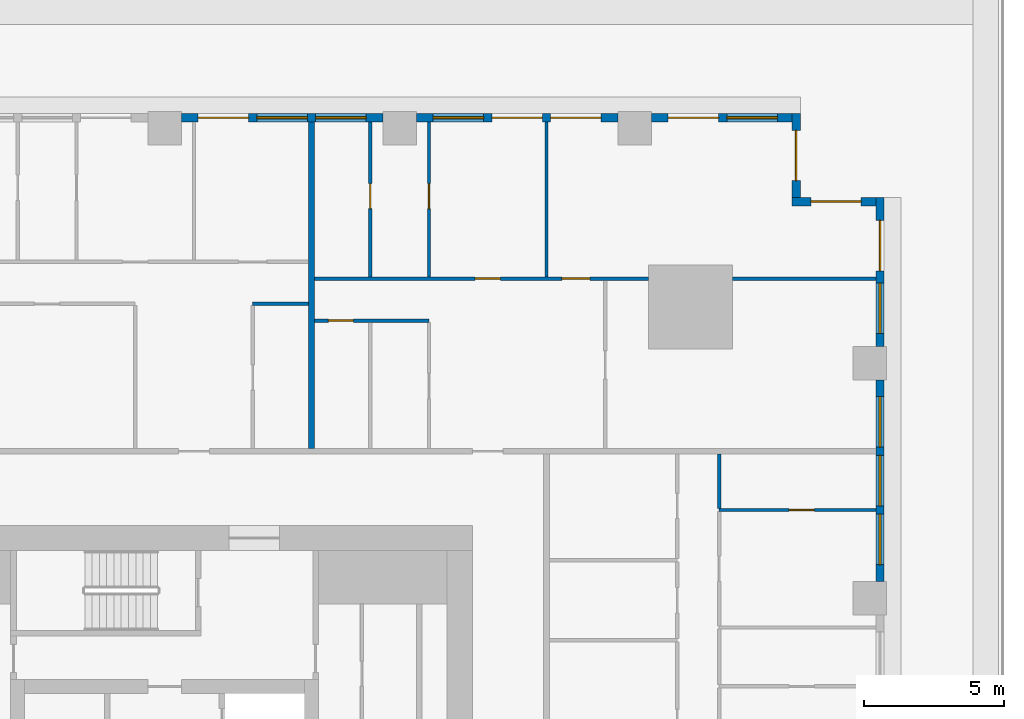
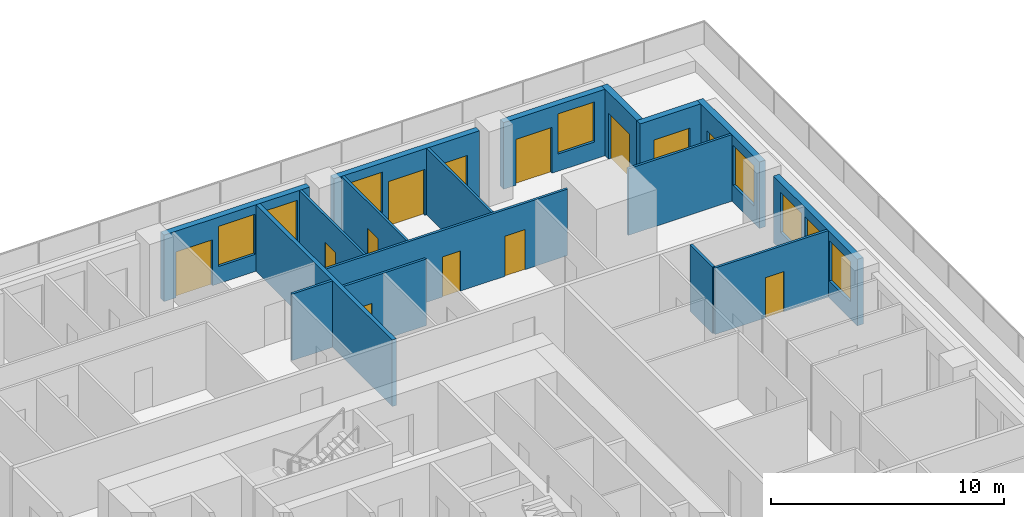
# One storey, part 10 of 16: 17 walls, 13 doors, 8 windows, 21 openings.
"""IFC4 building model written with IfcOpenShell, lengths in metres."""

from ifc_helpers import new_model, si_unit, direction, frame, frame_2d, origin, place, context, subcontext, project, spatial, rectangle, extrude, material, layer, layer_set, type_object, element, fill, save


model = new_model("IFC4")

# Units and contexts
model_context = context("Model", 3, precision=1e-05, world=origin(), true_north=direction((0.0, 1.0)))
body_context = subcontext(model_context, "Body", "Model", "MODEL_VIEW")
ifc_project = project(units=[si_unit("LENGTHUNIT", "METRE"), si_unit("AREAUNIT", "SQUARE_METRE"), si_unit("VOLUMEUNIT", "CUBIC_METRE"), si_unit("PLANEANGLEUNIT", "RADIAN"), si_unit("MASSUNIT", "GRAM", prefix="KILO")], contexts=[model_context])

# Site, building, storey
site_placement = place(None, origin())
site = spatial("IfcSite", under=ifc_project, at=site_placement, CompositionType="ELEMENT")
building_placement = place(site_placement, origin())
building = spatial("IfcBuilding", under=site, at=building_placement, Name="Khepri Terraces", CompositionType="ELEMENT")
storey_placement = place(building_placement, frame((0.0, 0.0, 27.0)))
storey = spatial("IfcBuildingStorey", under=building, at=storey_placement, Name="L05", CompositionType="ELEMENT", Elevation=27.0)

# Wall
ifc_material_1 = material(Name="Fire-rated gypsum plasterboard partition, mineral wool")
ifc_layer_1 = layer(ifc_material_1, 0.199951171875, Name="Fire-rated gypsum plasterboard partition, mineral wool")
ifc_layer_set_1 = layer_set([ifc_layer_1], Name="Fire-rated gypsum plasterboard partition, mineral wool")
wall_type_1 = type_object("IfcWallType", Name="WL-CORR-200", PredefinedType="PARTITIONING", material=ifc_layer_set_1)
wall_1_placement = place(storey_placement, frame((5.25, 13.75, 0.0), z_axis=(0.0, 0.0, 1.0), x_axis=(0.0, 1.0, 0.0)))
element("IfcWall", 1, at=wall_1_placement, inside=storey, type_object=wall_type_1, Name="Partition P-092 L05", PredefinedType="PARTITIONING", context=body_context, shape_type="SweptSolid", body=[
    extrude(rectangle(XDim=11.669921875, YDim=0.199951171875, at=frame_2d((5.8349609375, 0.0))), origin(), (0.0, 0.0, 1.0), 3.47998046875),
])

# Wall, openings, windows
ifc_material_2 = material(Name="Precast concrete C50/60 warm stone", Category="masonry")
ifc_layer_2 = layer(ifc_material_2, 0.300048828125, Name="Precast concrete C50/60 warm stone", Category="masonry")
ifc_layer_set_2 = layer_set([ifc_layer_2], Name="Precast concrete C50/60 warm stone")
wall_type_2 = type_object("IfcWallType", Name="WL-EXT-PRECAST-300", PredefinedType="STANDARD", material=ifc_layer_set_2)
wall_2_placement = place(storey_placement, frame((25.570068359375, 9.0, 0.0), z_axis=(0.0, 0.0, 1.0), x_axis=(0.0, 1.0, 0.0)))
wall_2 = element("IfcWall", 2, at=wall_2_placement, inside=storey, type_object=wall_type_2, Name="External wall L05 E", PredefinedType="STANDARD", context=body_context, shape_type="SweptSolid", body=[
    extrude(rectangle(XDim=7.199951171875, YDim=0.300048828125, at=frame_2d((3.60009765625, 0.0))), origin(), (0.0, 0.0, 1.0), 3.47998046875),
])
opening_1_placement = place(wall_2_placement, frame((0.60009765625, 0.0, 0.89990234375)))
opening_1 = element("IfcOpeningElement", 3, at=opening_1_placement, cuts=wall_2, Name="Opening W1", PredefinedType="OPENING", context=body_context, shape_type="SweptSolid", body=[
    extrude(rectangle(XDim=1.800048828125, YDim=2.10009765625, at=frame_2d((0.89990234375, 1.050048828125))), frame((0.0, 0.16015625, 0.0), z_axis=(0.0, -1.0, 0.0), x_axis=(1.0, 0.0, 0.0)), (0.0, 0.0, 1.0), 0.320068359375),
])
opening_2_placement = place(wall_2_placement, frame((2.699951171875, 0.0, 0.89990234375)))
opening_2 = element("IfcOpeningElement", 4, at=opening_2_placement, cuts=wall_2, Name="Opening W1", PredefinedType="OPENING", context=body_context, shape_type="SweptSolid", body=[
    extrude(rectangle(XDim=1.800048828125, YDim=2.10009765625, at=frame_2d((0.89990234375, 1.050048828125))), frame((0.0, 0.16015625, 0.0), z_axis=(0.0, -1.0, 0.0), x_axis=(1.0, 0.0, 0.0)), (0.0, 0.0, 1.0), 0.320068359375),
])
opening_3_placement = place(wall_2_placement, frame((4.800048828125, 0.0, 0.89990234375)))
opening_3 = element("IfcOpeningElement", 5, at=opening_3_placement, cuts=wall_2, Name="Opening W1", PredefinedType="OPENING", context=body_context, shape_type="SweptSolid", body=[
    extrude(rectangle(XDim=1.800048828125, YDim=2.10009765625, at=frame_2d((0.89990234375, 1.050048828125))), frame((0.0, 0.16015625, 0.0), z_axis=(0.0, -1.0, 0.0), x_axis=(1.0, 0.0, 0.0)), (0.0, 0.0, 1.0), 0.320068359375),
])
ifc_material_3 = material(Name="Clear glass", Category="glass")
window_type = type_object("IfcWindowType", Name="WIN-RES-1800x2100", PartitioningType="SINGLE_PANEL", PredefinedType="WINDOW", material=ifc_material_3)
window_1_placement = place(opening_1_placement, origin())
window_1 = element("IfcWindow", 6, at=window_1_placement, inside=storey, type_object=window_type, Name="Window L05 E", OverallHeight=2.10009765625, OverallWidth=1.800048828125, PartitioningType="SINGLE_PANEL", PredefinedType="WINDOW", context=body_context, shape_type="SweptSolid", body=[
    extrude(rectangle(XDim=1.800048828125, YDim=2.10009765625, at=frame_2d((0.89990234375, 1.050048828125))), frame((0.0, 0.030029296875, 0.0), z_axis=(0.0, -1.0, 0.0), x_axis=(1.0, 0.0, 0.0)), (0.0, 0.0, 1.0), 0.06005859375),
])
fill(opening_1, window_1)
window_2_placement = place(opening_2_placement, origin())
window_2 = element("IfcWindow", 7, at=window_2_placement, inside=storey, type_object=window_type, Name="Window L05 E", OverallHeight=2.10009765625, OverallWidth=1.800048828125, PartitioningType="SINGLE_PANEL", PredefinedType="WINDOW", context=body_context, shape_type="SweptSolid", body=[
    extrude(rectangle(XDim=1.800048828125, YDim=2.10009765625, at=frame_2d((0.89990234375, 1.050048828125))), frame((0.0, 0.030029296875, 0.0), z_axis=(0.0, -1.0, 0.0), x_axis=(1.0, 0.0, 0.0)), (0.0, 0.0, 1.0), 0.06005859375),
])
fill(opening_2, window_2)
window_3_placement = place(opening_3_placement, origin())
window_3 = element("IfcWindow", 8, at=window_3_placement, inside=storey, type_object=window_type, Name="Window L05 E", OverallHeight=2.10009765625, OverallWidth=1.800048828125, PartitioningType="SINGLE_PANEL", PredefinedType="WINDOW", context=body_context, shape_type="SweptSolid", body=[
    extrude(rectangle(XDim=1.800048828125, YDim=2.10009765625, at=frame_2d((0.89990234375, 1.050048828125))), frame((0.0, 0.030029296875, 0.0), z_axis=(0.0, -1.0, 0.0), x_axis=(1.0, 0.0, 0.0)), (0.0, 0.0, 1.0), 0.06005859375),
])
fill(opening_3, window_3)

# Wall, openings, door, window
wall_3_placement = place(storey_placement, frame((25.570068359375, 17.39990234375, 0.0), z_axis=(0.0, 0.0, 1.0), x_axis=(0.0, 1.0, 0.0)))
wall_3 = element("IfcWall", 9, at=wall_3_placement, inside=storey, type_object=wall_type_2, Name="External wall L05 E", PredefinedType="STANDARD", context=body_context, shape_type="SweptSolid", body=[
    extrude(rectangle(XDim=5.320068359375, YDim=0.300048828125, at=frame_2d((2.66015625, 0.0))), origin(), (0.0, 0.0, 1.0), 3.47998046875),
])
opening_4_placement = place(wall_3_placement, frame((2.699951171875, 0.0, 0.0)))
opening_4 = element("IfcOpeningElement", 10, at=opening_4_placement, cuts=wall_3, Name="Opening ED-L05-07", PredefinedType="OPENING", context=body_context, shape_type="SweptSolid", body=[
    extrude(rectangle(XDim=1.800048828125, YDim=2.39990234375, at=frame_2d((0.89990234375, 1.199951171875))), frame((0.0, 0.16015625, 0.0), z_axis=(0.0, -1.0, 0.0), x_axis=(1.0, 0.0, 0.0)), (0.0, 0.0, 1.0), 0.320068359375),
])
opening_5_placement = place(wall_3_placement, frame((0.4599609375, 0.0, 0.89990234375)))
opening_5 = element("IfcOpeningElement", 11, at=opening_5_placement, cuts=wall_3, Name="Opening W1", PredefinedType="OPENING", context=body_context, shape_type="SweptSolid", body=[
    extrude(rectangle(XDim=1.800048828125, YDim=2.10009765625, at=frame_2d((0.89990234375, 1.050048828125))), frame((0.0, 0.16015625, 0.0), z_axis=(0.0, -1.0, 0.0), x_axis=(1.0, 0.0, 0.0)), (0.0, 0.0, 1.0), 0.320068359375),
])
ifc_material_4 = material(Name="Anodised aluminium bronze glazed door", Category="aluminium")
door_type_1 = type_object("IfcDoorType", Name="DR-BAL-SLIDE-1800x2400", OperationType="NOTDEFINED", PredefinedType="DOOR", material=ifc_material_4)
door_1_placement = place(opening_4_placement, origin())
door_1 = element("IfcDoor", 12, at=door_1_placement, inside=storey, type_object=door_type_1, Name="Balcony door L05 E", OperationType="SLIDING_TO_LEFT", OverallHeight=2.39990234375, OverallWidth=1.800048828125, PredefinedType="DOOR", context=body_context, shape_type="SweptSolid", body=[
    extrude(rectangle(XDim=1.800048828125, YDim=2.39990234375, at=frame_2d((0.89990234375, 1.199951171875))), frame((0.0, 0.02490234375, 0.0), z_axis=(0.0, -1.0, 0.0), x_axis=(1.0, 0.0, 0.0)), (0.0, 0.0, 1.0), 0.050048828125),
])
fill(opening_4, door_1)
window_4_placement = place(opening_5_placement, origin())
window_4 = element("IfcWindow", 13, at=window_4_placement, inside=storey, type_object=window_type, Name="Window L05 E", OverallHeight=2.10009765625, OverallWidth=1.800048828125, PartitioningType="SINGLE_PANEL", PredefinedType="WINDOW", context=body_context, shape_type="SweptSolid", body=[
    extrude(rectangle(XDim=1.800048828125, YDim=2.10009765625, at=frame_2d((0.89990234375, 1.050048828125))), frame((0.0, 0.030029296875, 0.0), z_axis=(0.0, -1.0, 0.0), x_axis=(1.0, 0.0, 0.0)), (0.0, 0.0, 1.0), 0.06005859375),
])
fill(opening_5, window_4)

# Wall, opening, door
wall_4_placement = place(storey_placement, frame((25.419921875, 22.570068359375, 0.0), z_axis=(0.0, 0.0, 1.0), x_axis=(-1.0, 0.0, 0.0)))
wall_4 = element("IfcWall", 14, at=wall_4_placement, inside=storey, type_object=wall_type_2, Name="External wall L05 N", PredefinedType="STANDARD", context=body_context, shape_type="SweptSolid", body=[
    extrude(rectangle(XDim=3.0, YDim=0.300048828125, at=frame_2d((1.5, 0.0))), origin(), (0.0, 0.0, 1.0), 3.47998046875),
])
opening_6_placement = place(wall_4_placement, frame((0.52490234375, 0.0, 0.0)))
opening_6 = element("IfcOpeningElement", 15, at=opening_6_placement, cuts=wall_4, Name="Opening ED-L05-08", PredefinedType="OPENING", context=body_context, shape_type="SweptSolid", body=[
    extrude(rectangle(XDim=1.800048828125, YDim=2.39990234375, at=frame_2d((0.89990234375, 1.199951171875))), frame((0.0, 0.16015625, 0.0), z_axis=(0.0, -1.0, 0.0), x_axis=(1.0, 0.0, 0.0)), (0.0, 0.0, 1.0), 0.320068359375),
])
door_2_placement = place(opening_6_placement, origin())
door_2 = element("IfcDoor", 16, at=door_2_placement, inside=storey, type_object=door_type_1, Name="Balcony door L05 N", OperationType="SLIDING_TO_LEFT", OverallHeight=2.39990234375, OverallWidth=1.800048828125, PredefinedType="DOOR", context=body_context, shape_type="SweptSolid", body=[
    extrude(rectangle(XDim=1.800048828125, YDim=2.39990234375, at=frame_2d((0.89990234375, 1.199951171875))), frame((0.0, 0.02490234375, 0.0), z_axis=(0.0, -1.0, 0.0), x_axis=(1.0, 0.0, 0.0)), (0.0, 0.0, 1.0), 0.050048828125),
])
fill(opening_6, door_2)

wall_5_placement = place(storey_placement, frame((22.570068359375, 22.719970703125, 0.0), z_axis=(0.0, 0.0, 1.0), x_axis=(0.0, 1.0, 0.0)))
wall_5 = element("IfcWall", 17, at=wall_5_placement, inside=storey, type_object=wall_type_2, Name="External wall L05 E", PredefinedType="STANDARD", context=body_context, shape_type="SweptSolid", body=[
    extrude(rectangle(XDim=3.0, YDim=0.300048828125, at=frame_2d((1.5, 0.0))), origin(), (0.0, 0.0, 1.0), 3.47998046875),
])
opening_7_placement = place(wall_5_placement, frame((0.60009765625, 0.0, 0.0)))
opening_7 = element("IfcOpeningElement", 18, at=opening_7_placement, cuts=wall_5, Name="Opening ED-L05-09", PredefinedType="OPENING", context=body_context, shape_type="SweptSolid", body=[
    extrude(rectangle(XDim=1.800048828125, YDim=2.39990234375, at=frame_2d((0.89990234375, 1.199951171875))), frame((0.0, 0.16015625, 0.0), z_axis=(0.0, -1.0, 0.0), x_axis=(1.0, 0.0, 0.0)), (0.0, 0.0, 1.0), 0.320068359375),
])
door_3_placement = place(opening_7_placement, origin())
door_3 = element("IfcDoor", 19, at=door_3_placement, inside=storey, type_object=door_type_1, Name="Balcony door L05 E", OperationType="SLIDING_TO_RIGHT", OverallHeight=2.39990234375, OverallWidth=1.800048828125, PredefinedType="DOOR", context=body_context, shape_type="SweptSolid", body=[
    extrude(rectangle(XDim=1.800048828125, YDim=2.39990234375, at=frame_2d((0.89990234375, 1.199951171875))), frame((0.0, 0.02490234375, 0.0), z_axis=(0.0, -1.0, 0.0), x_axis=(1.0, 0.0, 0.0)), (0.0, 0.0, 1.0), 0.050048828125),
])
fill(opening_7, door_3)

# Wall, openings, door, window
wall_6_placement = place(storey_placement, frame((22.419921875, 25.570068359375, 0.0), z_axis=(0.0, 0.0, 1.0), x_axis=(-1.0, 0.0, 0.0)))
wall_6 = element("IfcWall", 20, at=wall_6_placement, inside=storey, type_object=wall_type_2, Name="External wall L05 N", PredefinedType="STANDARD", context=body_context, shape_type="SweptSolid", body=[
    extrude(rectangle(XDim=5.02001953125, YDim=0.300048828125, at=frame_2d((2.510009765625, 0.0))), origin(), (0.0, 0.0, 1.0), 3.47998046875),
])
opening_8_placement = place(wall_6_placement, frame((0.52001953125, 0.0, 0.89990234375)))
opening_8 = element("IfcOpeningElement", 21, at=opening_8_placement, cuts=wall_6, Name="Opening W1", PredefinedType="OPENING", context=body_context, shape_type="SweptSolid", body=[
    extrude(rectangle(XDim=1.800048828125, YDim=2.10009765625, at=frame_2d((0.89990234375, 1.050048828125))), frame((0.0, 0.16015625, 0.0), z_axis=(0.0, -1.0, 0.0), x_axis=(1.0, 0.0, 0.0)), (0.0, 0.0, 1.0), 0.320068359375),
])
opening_9_placement = place(wall_6_placement, frame((2.6201171875, 0.0, 0.0)))
opening_9 = element("IfcOpeningElement", 22, at=opening_9_placement, cuts=wall_6, Name="Opening ED-L05-10", PredefinedType="OPENING", context=body_context, shape_type="SweptSolid", body=[
    extrude(rectangle(XDim=1.800048828125, YDim=2.39990234375, at=frame_2d((0.89990234375, 1.199951171875))), frame((0.0, 0.16015625, 0.0), z_axis=(0.0, -1.0, 0.0), x_axis=(1.0, 0.0, 0.0)), (0.0, 0.0, 1.0), 0.320068359375),
])
door_4_placement = place(opening_9_placement, origin())
door_4 = element("IfcDoor", 23, at=door_4_placement, inside=storey, type_object=door_type_1, Name="Balcony door L05 N", OperationType="SLIDING_TO_RIGHT", OverallHeight=2.39990234375, OverallWidth=1.800048828125, PredefinedType="DOOR", context=body_context, shape_type="SweptSolid", body=[
    extrude(rectangle(XDim=1.800048828125, YDim=2.39990234375, at=frame_2d((0.89990234375, 1.199951171875))), frame((0.0, 0.02490234375, 0.0), z_axis=(0.0, -1.0, 0.0), x_axis=(1.0, 0.0, 0.0)), (0.0, 0.0, 1.0), 0.050048828125),
])
fill(opening_9, door_4)
window_5_placement = place(opening_8_placement, origin())
window_5 = element("IfcWindow", 24, at=window_5_placement, inside=storey, type_object=window_type, Name="Window L05 N", OverallHeight=2.10009765625, OverallWidth=1.800048828125, PartitioningType="SINGLE_PANEL", PredefinedType="WINDOW", context=body_context, shape_type="SweptSolid", body=[
    extrude(rectangle(XDim=1.800048828125, YDim=2.10009765625, at=frame_2d((0.89990234375, 1.050048828125))), frame((0.0, 0.030029296875, 0.0), z_axis=(0.0, -1.0, 0.0), x_axis=(1.0, 0.0, 0.0)), (0.0, 0.0, 1.0), 0.06005859375),
])
fill(opening_8, window_5)

# Wall, openings, doors, window
wall_7_placement = place(storey_placement, frame((16.199951171875, 25.570068359375, 0.0), z_axis=(0.0, 0.0, 1.0), x_axis=(-1.0, 0.0, 0.0)))
wall_7 = element("IfcWall", 25, at=wall_7_placement, inside=storey, type_object=wall_type_2, Name="External wall L05 N", PredefinedType="STANDARD", context=body_context, shape_type="SweptSolid", body=[
    extrude(rectangle(XDim=7.199951171875, YDim=0.300048828125, at=frame_2d((3.60009765625, 0.0))), origin(), (0.0, 0.0, 1.0), 3.47998046875),
])
opening_10_placement = place(wall_7_placement, frame((0.60009765625, 0.0, 0.0)))
opening_10 = element("IfcOpeningElement", 26, at=opening_10_placement, cuts=wall_7, Name="Opening ED-L05-11", PredefinedType="OPENING", context=body_context, shape_type="SweptSolid", body=[
    extrude(rectangle(XDim=1.800048828125, YDim=2.39990234375, at=frame_2d((0.89990234375, 1.199951171875))), frame((0.0, 0.16015625, 0.0), z_axis=(0.0, -1.0, 0.0), x_axis=(1.0, 0.0, 0.0)), (0.0, 0.0, 1.0), 0.320068359375),
])
opening_11_placement = place(wall_7_placement, frame((2.699951171875, 0.0, 0.0)))
opening_11 = element("IfcOpeningElement", 27, at=opening_11_placement, cuts=wall_7, Name="Opening ED-L05-12", PredefinedType="OPENING", context=body_context, shape_type="SweptSolid", body=[
    extrude(rectangle(XDim=1.800048828125, YDim=2.39990234375, at=frame_2d((0.89990234375, 1.199951171875))), frame((0.0, 0.16015625, 0.0), z_axis=(0.0, -1.0, 0.0), x_axis=(1.0, 0.0, 0.0)), (0.0, 0.0, 1.0), 0.320068359375),
])
opening_12_placement = place(wall_7_placement, frame((4.800048828125, 0.0, 0.89990234375)))
opening_12 = element("IfcOpeningElement", 28, at=opening_12_placement, cuts=wall_7, Name="Opening W1", PredefinedType="OPENING", context=body_context, shape_type="SweptSolid", body=[
    extrude(rectangle(XDim=1.800048828125, YDim=2.10009765625, at=frame_2d((0.89990234375, 1.050048828125))), frame((0.0, 0.16015625, 0.0), z_axis=(0.0, -1.0, 0.0), x_axis=(1.0, 0.0, 0.0)), (0.0, 0.0, 1.0), 0.320068359375),
])
door_5_placement = place(opening_10_placement, origin())
door_5 = element("IfcDoor", 29, at=door_5_placement, inside=storey, type_object=door_type_1, Name="Balcony door L05 N", OperationType="SLIDING_TO_LEFT", OverallHeight=2.39990234375, OverallWidth=1.800048828125, PredefinedType="DOOR", context=body_context, shape_type="SweptSolid", body=[
    extrude(rectangle(XDim=1.800048828125, YDim=2.39990234375, at=frame_2d((0.89990234375, 1.199951171875))), frame((0.0, 0.02490234375, 0.0), z_axis=(0.0, -1.0, 0.0), x_axis=(1.0, 0.0, 0.0)), (0.0, 0.0, 1.0), 0.050048828125),
])
fill(opening_10, door_5)
door_6_placement = place(opening_11_placement, origin())
door_6 = element("IfcDoor", 30, at=door_6_placement, inside=storey, type_object=door_type_1, Name="Balcony door L05 N", OperationType="SLIDING_TO_RIGHT", OverallHeight=2.39990234375, OverallWidth=1.800048828125, PredefinedType="DOOR", context=body_context, shape_type="SweptSolid", body=[
    extrude(rectangle(XDim=1.800048828125, YDim=2.39990234375, at=frame_2d((0.89990234375, 1.199951171875))), frame((0.0, 0.02490234375, 0.0), z_axis=(0.0, -1.0, 0.0), x_axis=(1.0, 0.0, 0.0)), (0.0, 0.0, 1.0), 0.050048828125),
])
fill(opening_11, door_6)
window_6_placement = place(opening_12_placement, origin())
window_6 = element("IfcWindow", 31, at=window_6_placement, inside=storey, type_object=window_type, Name="Window L05 N", OverallHeight=2.10009765625, OverallWidth=1.800048828125, PartitioningType="SINGLE_PANEL", PredefinedType="WINDOW", context=body_context, shape_type="SweptSolid", body=[
    extrude(rectangle(XDim=1.800048828125, YDim=2.10009765625, at=frame_2d((0.89990234375, 1.050048828125))), frame((0.0, 0.030029296875, 0.0), z_axis=(0.0, -1.0, 0.0), x_axis=(1.0, 0.0, 0.0)), (0.0, 0.0, 1.0), 0.06005859375),
])
fill(opening_12, window_6)

# Wall, openings, door, windows
wall_8_placement = place(storey_placement, frame((7.800048828125, 25.570068359375, 0.0), z_axis=(0.0, 0.0, 1.0), x_axis=(-1.0, 0.0, 0.0)))
wall_8 = element("IfcWall", 32, at=wall_8_placement, inside=storey, type_object=wall_type_2, Name="External wall L05 N", PredefinedType="STANDARD", context=body_context, shape_type="SweptSolid", body=[
    extrude(rectangle(XDim=7.199951171875, YDim=0.300048828125, at=frame_2d((3.60009765625, 0.0))), origin(), (0.0, 0.0, 1.0), 3.47998046875),
])
opening_13_placement = place(wall_8_placement, frame((0.60009765625, 0.0, 0.89990234375)))
opening_13 = element("IfcOpeningElement", 33, at=opening_13_placement, cuts=wall_8, Name="Opening W1", PredefinedType="OPENING", context=body_context, shape_type="SweptSolid", body=[
    extrude(rectangle(XDim=1.800048828125, YDim=2.10009765625, at=frame_2d((0.89990234375, 1.050048828125))), frame((0.0, 0.16015625, 0.0), z_axis=(0.0, -1.0, 0.0), x_axis=(1.0, 0.0, 0.0)), (0.0, 0.0, 1.0), 0.320068359375),
])
opening_14_placement = place(wall_8_placement, frame((2.699951171875, 0.0, 0.89990234375)))
opening_14 = element("IfcOpeningElement", 34, at=opening_14_placement, cuts=wall_8, Name="Opening W1", PredefinedType="OPENING", context=body_context, shape_type="SweptSolid", body=[
    extrude(rectangle(XDim=1.800048828125, YDim=2.10009765625, at=frame_2d((0.89990234375, 1.050048828125))), frame((0.0, 0.16015625, 0.0), z_axis=(0.0, -1.0, 0.0), x_axis=(1.0, 0.0, 0.0)), (0.0, 0.0, 1.0), 0.320068359375),
])
opening_15_placement = place(wall_8_placement, frame((4.800048828125, 0.0, 0.0)))
opening_15 = element("IfcOpeningElement", 35, at=opening_15_placement, cuts=wall_8, Name="Opening ED-L05-13", PredefinedType="OPENING", context=body_context, shape_type="SweptSolid", body=[
    extrude(rectangle(XDim=1.800048828125, YDim=2.39990234375, at=frame_2d((0.89990234375, 1.199951171875))), frame((0.0, 0.16015625, 0.0), z_axis=(0.0, -1.0, 0.0), x_axis=(1.0, 0.0, 0.0)), (0.0, 0.0, 1.0), 0.320068359375),
])
door_7_placement = place(opening_15_placement, origin())
door_7 = element("IfcDoor", 36, at=door_7_placement, inside=storey, type_object=door_type_1, Name="Balcony door L05 N", OperationType="SLIDING_TO_RIGHT", OverallHeight=2.39990234375, OverallWidth=1.800048828125, PredefinedType="DOOR", context=body_context, shape_type="SweptSolid", body=[
    extrude(rectangle(XDim=1.800048828125, YDim=2.39990234375, at=frame_2d((0.89990234375, 1.199951171875))), frame((0.0, 0.02490234375, 0.0), z_axis=(0.0, -1.0, 0.0), x_axis=(1.0, 0.0, 0.0)), (0.0, 0.0, 1.0), 0.050048828125),
])
fill(opening_15, door_7)
window_7_placement = place(opening_13_placement, origin())
window_7 = element("IfcWindow", 37, at=window_7_placement, inside=storey, type_object=window_type, Name="Window L05 N", OverallHeight=2.10009765625, OverallWidth=1.800048828125, PartitioningType="SINGLE_PANEL", PredefinedType="WINDOW", context=body_context, shape_type="SweptSolid", body=[
    extrude(rectangle(XDim=1.800048828125, YDim=2.10009765625, at=frame_2d((0.89990234375, 1.050048828125))), frame((0.0, 0.030029296875, 0.0), z_axis=(0.0, -1.0, 0.0), x_axis=(1.0, 0.0, 0.0)), (0.0, 0.0, 1.0), 0.06005859375),
])
fill(opening_13, window_7)
window_8_placement = place(opening_14_placement, origin())
window_8 = element("IfcWindow", 38, at=window_8_placement, inside=storey, type_object=window_type, Name="Window L05 N", OverallHeight=2.10009765625, OverallWidth=1.800048828125, PartitioningType="SINGLE_PANEL", PredefinedType="WINDOW", context=body_context, shape_type="SweptSolid", body=[
    extrude(rectangle(XDim=1.800048828125, YDim=2.10009765625, at=frame_2d((0.89990234375, 1.050048828125))), frame((0.0, 0.030029296875, 0.0), z_axis=(0.0, -1.0, 0.0), x_axis=(1.0, 0.0, 0.0)), (0.0, 0.0, 1.0), 0.06005859375),
])
fill(opening_14, window_8)

# Wall, opening, door
ifc_material_5 = material(Name="Gypsum plasterboard partition")
ifc_layer_3 = layer(ifc_material_5, 0.1201171875, Name="Gypsum plasterboard partition")
ifc_layer_set_3 = layer_set([ifc_layer_3], Name="Gypsum plasterboard partition")
wall_type_3 = type_object("IfcWallType", Name="WL-PART-120", PredefinedType="PARTITIONING", material=ifc_layer_set_3)
wall_9_placement = place(storey_placement, frame((19.820068359375, 11.550048828125, 0.0), z_axis=(0.0, 0.0, 1.0), x_axis=(1.0, 0.0, 0.0)))
wall_9 = element("IfcWall", 39, at=wall_9_placement, inside=storey, type_object=wall_type_3, Name="Partition P-081 L05", PredefinedType="PARTITIONING", context=body_context, shape_type="SweptSolid", body=[
    extrude(rectangle(XDim=5.599853515625, YDim=0.1201171875, at=frame_2d((2.7998046875, 0.0))), origin(), (0.0, 0.0, 1.0), 3.47998046875),
])
opening_16_placement = place(wall_9_placement, frame((2.5, 0.0, 0.0)))
opening_16 = element("IfcOpeningElement", 40, at=opening_16_placement, cuts=wall_9, Name="Opening D4", PredefinedType="OPENING", context=body_context, shape_type="SweptSolid", body=[
    extrude(rectangle(XDim=0.89990234375, YDim=2.10009765625, at=frame_2d((0.449951171875, 1.050048828125))), frame((0.0, 0.070068359375, 0.0), z_axis=(0.0, -1.0, 0.0), x_axis=(1.0, 0.0, 0.0)), (0.0, 0.0, 1.0), 0.14013671875),
])
ifc_material_6 = material(Name="Timber door leaf, moisture resistant", Category="wood")
door_type_2 = type_object("IfcDoorType", Name="DR-WET-900", OperationType="NOTDEFINED", PredefinedType="DOOR", material=ifc_material_6)
door_8_placement = place(opening_16_placement, origin())
door_8 = element("IfcDoor", 41, at=door_8_placement, inside=storey, type_object=door_type_2, Name="Door Bathroom", OperationType="SINGLE_SWING_RIGHT", OverallHeight=2.10009765625, OverallWidth=0.89990234375, PredefinedType="DOOR", context=body_context, shape_type="SweptSolid", body=[
    extrude(rectangle(XDim=0.89990234375, YDim=2.10009765625, at=frame_2d((0.449951171875, 1.050048828125))), frame((0.0, 0.02490234375, 0.0), z_axis=(0.0, -1.0, 0.0), x_axis=(1.0, 0.0, 0.0)), (0.0, 0.0, 1.0), 0.050048828125),
])
fill(opening_16, door_8)

# Wall
wall_10_placement = place(storey_placement, frame((19.820068359375, 11.610107421875, 0.0), z_axis=(0.0, 0.0, 1.0), x_axis=(0.0, 1.0, 0.0)))
element("IfcWall", 42, at=wall_10_placement, inside=storey, type_object=wall_type_3, Name="Partition P-082 L05", PredefinedType="PARTITIONING", context=body_context, shape_type="SweptSolid", body=[
    extrude(rectangle(XDim=1.93994140625, YDim=0.1201171875, at=frame_2d((0.969970703125, 0.0))), origin(), (0.0, 0.0, 1.0), 3.47998046875),
])

# Wall, opening, door
wall_11_placement = place(storey_placement, frame((5.35009765625, 18.320068359375, 0.0), z_axis=(0.0, 0.0, 1.0), x_axis=(1.0, 0.0, 0.0)))
wall_11 = element("IfcWall", 43, at=wall_11_placement, inside=storey, type_object=wall_type_3, Name="Partition P-098 L05", PredefinedType="PARTITIONING", context=body_context, shape_type="SweptSolid", body=[
    extrude(rectangle(XDim=4.099853515625, YDim=0.1201171875, at=frame_2d((2.0498046875, 0.0))), origin(), (0.0, 0.0, 1.0), 3.47998046875),
])
opening_17_placement = place(wall_11_placement, frame((0.5, 0.0, 0.0)))
opening_17 = element("IfcOpeningElement", 44, at=opening_17_placement, cuts=wall_11, Name="Opening D3", PredefinedType="OPENING", context=body_context, shape_type="SweptSolid", body=[
    extrude(rectangle(XDim=0.89990234375, YDim=2.10009765625, at=frame_2d((0.449951171875, 1.050048828125))), frame((0.0, 0.070068359375, 0.0), z_axis=(0.0, -1.0, 0.0), x_axis=(1.0, 0.0, 0.0)), (0.0, 0.0, 1.0), 0.14013671875),
])
ifc_material_7 = material(Name="Timber door leaf", Category="wood")
door_type_3 = type_object("IfcDoorType", Name="DR-INT-900", OperationType="NOTDEFINED", PredefinedType="DOOR", material=ifc_material_7)
door_9_placement = place(opening_17_placement, frame((0.89990234375, 0.0, 0.0), z_axis=(0.0, 0.0, 1.0), x_axis=(-1.0, 0.0, 0.0)))
door_9 = element("IfcDoor", 45, at=door_9_placement, inside=storey, type_object=door_type_3, Name="Door Kitchen", OperationType="SINGLE_SWING_RIGHT", OverallHeight=2.10009765625, OverallWidth=0.89990234375, PredefinedType="DOOR", context=body_context, shape_type="SweptSolid", body=[
    extrude(rectangle(XDim=0.89990234375, YDim=2.10009765625, at=frame_2d((0.449951171875, 1.050048828125))), frame((0.0, 0.02490234375, 0.0), z_axis=(0.0, -1.0, 0.0), x_axis=(1.0, 0.0, 0.0)), (0.0, 0.0, 1.0), 0.050048828125),
])
fill(opening_17, door_9)

# Wall
wall_12_placement = place(storey_placement, frame((3.14990234375, 18.919921875, 0.0), z_axis=(0.0, 0.0, 1.0), x_axis=(1.0, 0.0, 0.0)))
element("IfcWall", 46, at=wall_12_placement, inside=storey, type_object=wall_type_3, Name="Partition P-100 L05", PredefinedType="PARTITIONING", context=body_context, shape_type="SweptSolid", body=[
    extrude(rectangle(XDim=2.0, YDim=0.1201171875, at=frame_2d((1.0, 0.0))), origin(), (0.0, 0.0, 1.0), 3.47998046875),
])

# Wall, openings, doors
wall_13_placement = place(storey_placement, frame((5.35009765625, 19.820068359375, 0.0), z_axis=(0.0, 0.0, 1.0), x_axis=(1.0, 0.0, 0.0)))
wall_13 = element("IfcWall", 47, at=wall_13_placement, inside=storey, type_object=wall_type_3, Name="Partition P-101 L05", PredefinedType="PARTITIONING", context=body_context, shape_type="SweptSolid", body=[
    extrude(rectangle(XDim=11.949951171875, YDim=0.1201171875, at=frame_2d((5.97509765625, 0.0))), origin(), (0.0, 0.0, 1.0), 3.47998046875),
])
opening_18_placement = place(wall_13_placement, frame((8.85009765625, 0.0, 0.0)))
opening_18 = element("IfcOpeningElement", 48, at=opening_18_placement, cuts=wall_13, Name="Opening D2", PredefinedType="OPENING", context=body_context, shape_type="SweptSolid", body=[
    extrude(rectangle(XDim=1.0, YDim=2.10009765625, at=frame_2d((0.5, 1.050048828125))), frame((0.0, 0.070068359375, 0.0), z_axis=(0.0, -1.0, 0.0), x_axis=(1.0, 0.0, 0.0)), (0.0, 0.0, 1.0), 0.14013671875),
])
opening_19_placement = place(wall_13_placement, frame((5.75, 0.0, 0.0)))
opening_19 = element("IfcOpeningElement", 49, at=opening_19_placement, cuts=wall_13, Name="Opening D3", PredefinedType="OPENING", context=body_context, shape_type="SweptSolid", body=[
    extrude(rectangle(XDim=0.89990234375, YDim=2.10009765625, at=frame_2d((0.449951171875, 1.050048828125))), frame((0.0, 0.070068359375, 0.0), z_axis=(0.0, -1.0, 0.0), x_axis=(1.0, 0.0, 0.0)), (0.0, 0.0, 1.0), 0.14013671875),
])
ifc_material_8 = material(Name="Timber door leaf, living room door", Category="wood")
door_type_4 = type_object("IfcDoorType", Name="DR-INT-1000", OperationType="NOTDEFINED", PredefinedType="DOOR", material=ifc_material_8)
door_10_placement = place(opening_18_placement, origin())
door_10 = element("IfcDoor", 50, at=door_10_placement, inside=storey, type_object=door_type_4, Name="Door Sun Lounge", OperationType="SINGLE_SWING_RIGHT", OverallHeight=2.10009765625, OverallWidth=1.0, PredefinedType="DOOR", context=body_context, shape_type="SweptSolid", body=[
    extrude(rectangle(XDim=1.0, YDim=2.10009765625, at=frame_2d((0.5, 1.050048828125))), frame((0.0, 0.02490234375, 0.0), z_axis=(0.0, -1.0, 0.0), x_axis=(1.0, 0.0, 0.0)), (0.0, 0.0, 1.0), 0.050048828125),
])
fill(opening_18, door_10)
door_11_placement = place(opening_19_placement, origin())
door_11 = element("IfcDoor", 51, at=door_11_placement, inside=storey, type_object=door_type_3, Name="Door Master Bedroom", OperationType="SINGLE_SWING_RIGHT", OverallHeight=2.10009765625, OverallWidth=0.89990234375, PredefinedType="DOOR", context=body_context, shape_type="SweptSolid", body=[
    extrude(rectangle(XDim=0.89990234375, YDim=2.10009765625, at=frame_2d((0.449951171875, 1.050048828125))), frame((0.0, 0.02490234375, 0.0), z_axis=(0.0, -1.0, 0.0), x_axis=(1.0, 0.0, 0.0)), (0.0, 0.0, 1.0), 0.050048828125),
])
fill(opening_19, door_11)

# Wall
wall_14_placement = place(storey_placement, frame((20.300048828125, 19.820068359375, 0.0), z_axis=(0.0, 0.0, 1.0), x_axis=(1.0, 0.0, 0.0)))
element("IfcWall", 52, at=wall_14_placement, inside=storey, type_object=wall_type_3, Name="Partition P-102 L05", PredefinedType="PARTITIONING", context=body_context, shape_type="SweptSolid", body=[
    extrude(rectangle(XDim=5.119873046875, YDim=0.1201171875, at=frame_2d((2.56005859375, 0.0))), origin(), (0.0, 0.0, 1.0), 3.47998046875),
])

# Wall, opening, door
wall_15_placement = place(storey_placement, frame((7.35009765625, 19.8798828125, 0.0), z_axis=(0.0, 0.0, 1.0), x_axis=(0.0, 1.0, 0.0)))
wall_15 = element("IfcWall", 53, at=wall_15_placement, inside=storey, type_object=wall_type_3, Name="Partition P-103 L05", PredefinedType="PARTITIONING", context=body_context, shape_type="SweptSolid", body=[
    extrude(rectangle(XDim=5.5400390625, YDim=0.1201171875, at=frame_2d((2.77001953125, 0.0))), origin(), (0.0, 0.0, 1.0), 3.47998046875),
])
opening_20_placement = place(wall_15_placement, frame((2.43994140625, 0.0, 0.0)))
opening_20 = element("IfcOpeningElement", 54, at=opening_20_placement, cuts=wall_15, Name="Opening D4", PredefinedType="OPENING", context=body_context, shape_type="SweptSolid", body=[
    extrude(rectangle(XDim=0.89990234375, YDim=2.10009765625, at=frame_2d((0.449951171875, 1.050048828125))), frame((0.0, 0.070068359375, 0.0), z_axis=(0.0, -1.0, 0.0), x_axis=(1.0, 0.0, 0.0)), (0.0, 0.0, 1.0), 0.14013671875),
])
door_12_placement = place(opening_20_placement, origin())
door_12 = element("IfcDoor", 55, at=door_12_placement, inside=storey, type_object=door_type_2, Name="Door Bathroom", OperationType="SINGLE_SWING_RIGHT", OverallHeight=2.10009765625, OverallWidth=0.89990234375, PredefinedType="DOOR", context=body_context, shape_type="SweptSolid", body=[
    extrude(rectangle(XDim=0.89990234375, YDim=2.10009765625, at=frame_2d((0.449951171875, 1.050048828125))), frame((0.0, 0.02490234375, 0.0), z_axis=(0.0, -1.0, 0.0), x_axis=(1.0, 0.0, 0.0)), (0.0, 0.0, 1.0), 0.050048828125),
])
fill(opening_20, door_12)

wall_16_placement = place(storey_placement, frame((9.449951171875, 19.8798828125, 0.0), z_axis=(0.0, 0.0, 1.0), x_axis=(0.0, 1.0, 0.0)))
wall_16 = element("IfcWall", 56, at=wall_16_placement, inside=storey, type_object=wall_type_3, Name="Partition P-104 L05", PredefinedType="PARTITIONING", context=body_context, shape_type="SweptSolid", body=[
    extrude(rectangle(XDim=5.5400390625, YDim=0.1201171875, at=frame_2d((2.77001953125, 0.0))), origin(), (0.0, 0.0, 1.0), 3.47998046875),
])
opening_21_placement = place(wall_16_placement, frame((2.43994140625, 0.0, 0.0)))
opening_21 = element("IfcOpeningElement", 57, at=opening_21_placement, cuts=wall_16, Name="Opening D3", PredefinedType="OPENING", context=body_context, shape_type="SweptSolid", body=[
    extrude(rectangle(XDim=0.89990234375, YDim=2.10009765625, at=frame_2d((0.449951171875, 1.050048828125))), frame((0.0, 0.070068359375, 0.0), z_axis=(0.0, -1.0, 0.0), x_axis=(1.0, 0.0, 0.0)), (0.0, 0.0, 1.0), 0.14013671875),
])
door_13_placement = place(opening_21_placement, origin())
door_13 = element("IfcDoor", 58, at=door_13_placement, inside=storey, type_object=door_type_3, Name="Door Dressing Room", OperationType="SINGLE_SWING_RIGHT", OverallHeight=2.10009765625, OverallWidth=0.89990234375, PredefinedType="DOOR", context=body_context, shape_type="SweptSolid", body=[
    extrude(rectangle(XDim=0.89990234375, YDim=2.10009765625, at=frame_2d((0.449951171875, 1.050048828125))), frame((0.0, 0.02490234375, 0.0), z_axis=(0.0, -1.0, 0.0), x_axis=(1.0, 0.0, 0.0)), (0.0, 0.0, 1.0), 0.050048828125),
])
fill(opening_21, door_13)

# Wall
wall_17_placement = place(storey_placement, frame((13.64990234375, 19.8798828125, 0.0), z_axis=(0.0, 0.0, 1.0), x_axis=(0.0, 1.0, 0.0)))
element("IfcWall", 59, at=wall_17_placement, inside=storey, type_object=wall_type_3, Name="Partition P-105 L05", PredefinedType="PARTITIONING", context=body_context, shape_type="SweptSolid", body=[
    extrude(rectangle(XDim=5.5400390625, YDim=0.1201171875, at=frame_2d((2.77001953125, 0.0))), origin(), (0.0, 0.0, 1.0), 3.47998046875),
])

save(model, "model.ifc")
